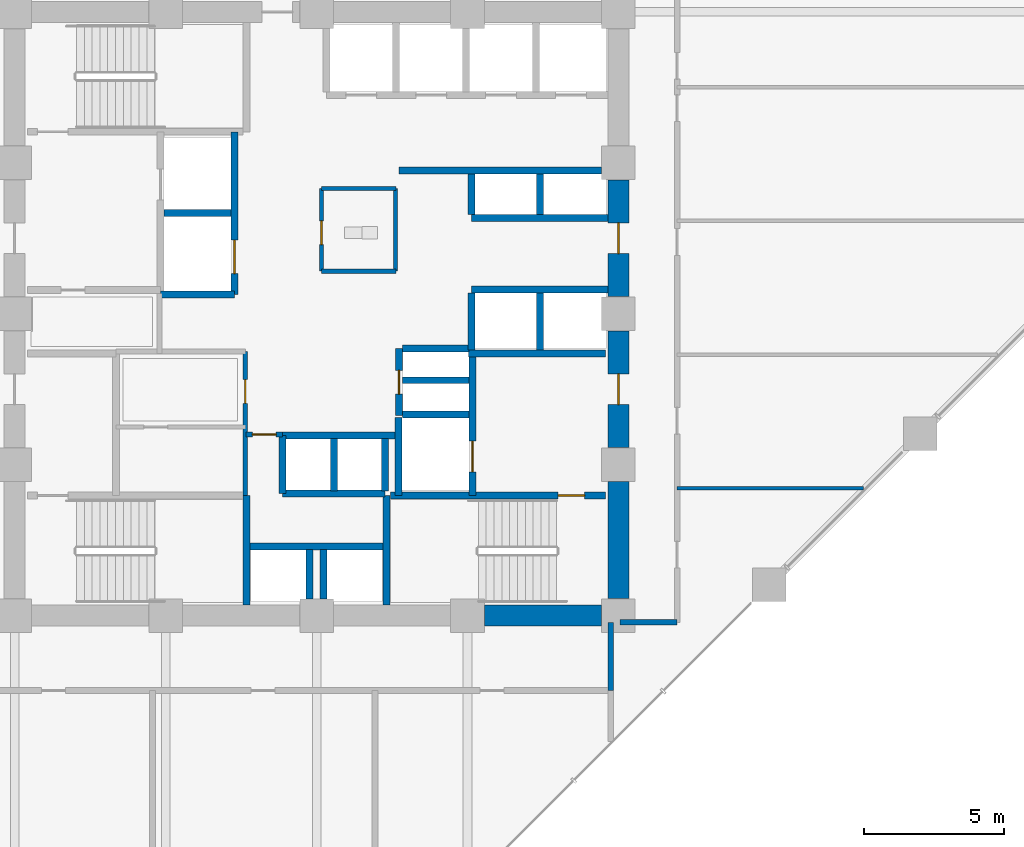
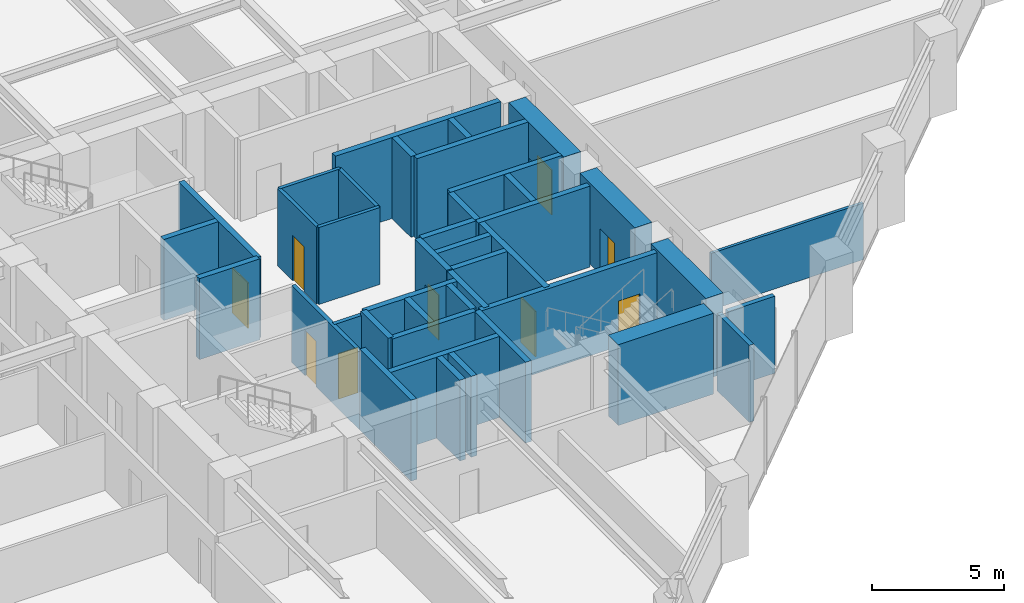
# One storey, part 22 of 28: 41 walls, 9 doors, 9 openings.
"""IFC4 building model written with IfcOpenShell, lengths in metres."""

from ifc_helpers import new_model, si_unit, direction, frame, frame_2d, origin, place, context, subcontext, project, spatial, rectangle, extrude, material, layer, layer_set, type_object, element, fill, save


model = new_model("IFC4")

# Units and contexts
model_context = context("Model", 3, precision=1e-05, world=origin(), true_north=direction((0.0, 1.0)))
body_context = subcontext(model_context, "Body", "Model", "MODEL_VIEW")
ifc_project = project(units=[si_unit("LENGTHUNIT", "METRE"), si_unit("AREAUNIT", "SQUARE_METRE"), si_unit("VOLUMEUNIT", "CUBIC_METRE"), si_unit("PLANEANGLEUNIT", "RADIAN"), si_unit("MASSUNIT", "GRAM", prefix="KILO")], contexts=[model_context])

# Site, building, storey
site_placement = place(None, origin())
site = spatial("IfcSite", under=ifc_project, at=site_placement, CompositionType="ELEMENT")
building_placement = place(site_placement, origin())
building = spatial("IfcBuilding", under=site, at=building_placement, Name="Surkhivell Harbour Commons", CompositionType="ELEMENT")
storey_placement = place(building_placement, frame((0.0, 0.0, 63.75)))
storey = spatial("IfcBuildingStorey", under=building, at=storey_placement, Name="L16", CompositionType="ELEMENT", Elevation=63.75)

# Wall
ifc_material_1 = material(Name="Concrete C60/75", Category="concrete")
ifc_layer_1 = layer(ifc_material_1, 0.75)
ifc_layer_set_1 = layer_set([ifc_layer_1], Name="Concrete C60/75")
wall_type_1 = type_object("IfcWallType", Name="WAL-CORE-750", PredefinedType="SHEAR", material=ifc_layer_set_1)
wall_1_placement = place(storey_placement, frame((10.800048828125, -10.18994140625, 0.0), z_axis=(0.0, 0.0, 1.0), x_axis=(0.0, 1.0, 0.0)))
element("IfcWall", 1, at=wall_1_placement, inside=storey, type_object=wall_type_1, Name="L16 Core Shear Wall East 1", PredefinedType="SHEAR", context=body_context, shape_type="SweptSolid", body=[
    extrude(rectangle(XDim=4.179931640625, YDim=0.75, at=frame_2d((2.08984375, 0.0))), origin(), (0.0, 0.0, 1.0), 3.75),
])

# Wall, opening, door
wall_2_placement = place(storey_placement, frame((10.800048828125, -4.7900390625, 0.0), z_axis=(0.0, 0.0, 1.0), x_axis=(0.0, 1.0, 0.0)))
wall_2 = element("IfcWall", 2, at=wall_2_placement, inside=storey, type_object=wall_type_1, Name="L16 Core Shear Wall East 2", PredefinedType="SHEAR", context=body_context, shape_type="SweptSolid", body=[
    extrude(rectangle(XDim=4.179931640625, YDim=0.75, at=frame_2d((2.08984375, 0.0))), origin(), (0.0, 0.0, 1.0), 3.75),
])
opening_1_placement = place(wall_2_placement, frame((1.5400390625, 0.0, 0.0)))
opening_1 = element("IfcOpeningElement", 3, at=opening_1_placement, cuts=wall_2, Name="Opening ID-1", PredefinedType="OPENING", context=body_context, shape_type="SweptSolid", body=[
    extrude(rectangle(XDim=1.10009765625, YDim=2.10009765625, at=frame_2d((0.550048828125, 1.050048828125))), frame((0.0, 0.385009765625, 0.0), z_axis=(0.0, -1.0, 0.0), x_axis=(1.0, 0.0, 0.0)), (0.0, 0.0, 1.0), 0.77001953125),
])
ifc_material_2 = material(Name="Hardwood-veneered fire-rated door leaf", Category="wood")
door_type_1 = type_object("IfcDoorType", Name="DOR-FD120-1100", OperationType="NOTDEFINED", PredefinedType="DOOR", material=ifc_material_2)
door_1_placement = place(opening_1_placement, origin())
door_1 = element("IfcDoor", 4, at=door_1_placement, inside=storey, type_object=door_type_1, Name="L16 Firefighting Lobby 2 Corridor Door", OperationType="SINGLE_SWING_RIGHT", OverallHeight=2.10009765625, OverallWidth=1.10009765625, PredefinedType="DOOR", context=body_context, shape_type="SweptSolid", body=[
    extrude(rectangle(XDim=1.10009765625, YDim=2.10009765625, at=frame_2d((0.550048828125, 1.050048828125))), frame((0.0, 0.02490234375, 0.0), z_axis=(0.0, -1.0, 0.0), x_axis=(1.0, 0.0, 0.0)), (0.0, 0.0, 1.0), 0.050048828125),
])
fill(opening_1, door_1)

wall_3_placement = place(storey_placement, frame((10.800048828125, 0.610107421875, 0.0), z_axis=(0.0, 0.0, 1.0), x_axis=(0.0, 1.0, 0.0)))
wall_3 = element("IfcWall", 5, at=wall_3_placement, inside=storey, type_object=wall_type_1, Name="L16 Core Shear Wall East 3", PredefinedType="SHEAR", context=body_context, shape_type="SweptSolid", body=[
    extrude(rectangle(XDim=4.179931640625, YDim=0.75, at=frame_2d((2.08984375, 0.0))), origin(), (0.0, 0.0, 1.0), 3.75),
])
opening_2_placement = place(wall_3_placement, frame((1.5400390625, 0.0, 0.0)))
opening_2 = element("IfcOpeningElement", 6, at=opening_2_placement, cuts=wall_3, Name="Opening ID-2", PredefinedType="OPENING", context=body_context, shape_type="SweptSolid", body=[
    extrude(rectangle(XDim=1.10009765625, YDim=2.10009765625, at=frame_2d((0.550048828125, 1.050048828125))), frame((0.0, 0.385009765625, 0.0), z_axis=(0.0, -1.0, 0.0), x_axis=(1.0, 0.0, 0.0)), (0.0, 0.0, 1.0), 0.77001953125),
])
door_type_2 = type_object("IfcDoorType", Name="DOR-FD60-1100", OperationType="NOTDEFINED", PredefinedType="DOOR", material=ifc_material_2)
door_2_placement = place(opening_2_placement, origin())
door_2 = element("IfcDoor", 7, at=door_2_placement, inside=storey, type_object=door_type_2, Name="L16 Mid-Rise Lobby East Door", OperationType="SINGLE_SWING_LEFT", OverallHeight=2.10009765625, OverallWidth=1.10009765625, PredefinedType="DOOR", context=body_context, shape_type="SweptSolid", body=[
    extrude(rectangle(XDim=1.10009765625, YDim=2.10009765625, at=frame_2d((0.550048828125, 1.050048828125))), frame((0.0, 0.02490234375, 0.0), z_axis=(0.0, -1.0, 0.0), x_axis=(1.0, 0.0, 0.0)), (0.0, 0.0, 1.0), 0.050048828125),
])
fill(opening_2, door_2)

# Walls
wall_4_placement = place(storey_placement, frame((6.010009765625, -10.800048828125, 0.0), z_axis=(0.0, 0.0, 1.0), x_axis=(1.0, 0.0, 0.0)))
element("IfcWall", 8, at=wall_4_placement, inside=storey, type_object=wall_type_1, Name="L16 Core Shear Wall South 4", PredefinedType="SHEAR", context=body_context, shape_type="SweptSolid", body=[
    extrude(rectangle(XDim=4.179931640625, YDim=0.75, at=frame_2d((2.08984375, 0.0))), origin(), (0.0, 0.0, 1.0), 3.75),
])
ifc_material_3 = material(Name="Moisture-resistant acoustic stud partition", Category="other")
ifc_layer_2 = layer(ifc_material_3, 0.125)
ifc_layer_set_2 = layer_set([ifc_layer_2], Name="Moisture-resistant acoustic stud partition")
wall_type_2 = type_object("IfcWallType", Name="WAL-INT-125", PredefinedType="PARTITIONING", material=ifc_layer_set_2)
wall_5_placement = place(storey_placement, frame((12.89990234375, -6.25, 0.0), z_axis=(0.0, 0.0, 1.0), x_axis=(1.0, 0.0, 0.0)))
element("IfcWall", 9, at=wall_5_placement, inside=storey, type_object=wall_type_2, Name="L16 East Partition P1", PredefinedType="PARTITIONING", context=body_context, shape_type="SweptSolid", body=[
    extrude(rectangle(XDim=6.665283203125, YDim=0.125, at=frame_2d((3.33251953125, 0.0))), origin(), (0.0, 0.0, 1.0), 2.623046875),
])
ifc_material_4 = material(Name="Twin-stud acoustic fireboard partition", Category="other")
ifc_layer_3 = layer(ifc_material_4, 0.14990234375)
ifc_layer_set_3 = layer_set([ifc_layer_3], Name="Twin-stud acoustic fireboard partition")
wall_type_3 = type_object("IfcWallType", Name="WAL-INT-150", PredefinedType="PARTITIONING", material=ifc_layer_set_3)
wall_6_placement = place(storey_placement, frame((2.820068359375, 1.52001953125, 0.0), z_axis=(0.0, 0.0, 1.0), x_axis=(0.0, 1.0, 0.0)))
element("IfcWall", 10, at=wall_6_placement, inside=storey, type_object=wall_type_3, Name="L16 Core Accessible WC East Wall", PredefinedType="PARTITIONING", context=body_context, shape_type="SweptSolid", body=[
    extrude(rectangle(XDim=2.9599609375, YDim=0.14990234375, at=frame_2d((1.47998046875, 0.0))), origin(), (0.0, 0.0, 1.0), 3.570068359375),
])
for number, where, z_axis, x_axis, name in (
    (11, (0.179931640625, 4.47998046875, 0.0), (0.0, 0.0, 1.0), (1.0, 0.0, 0.0), "L16 Core Accessible WC North Wall"),
    (12, (0.179931640625, 1.52001953125, 0.0), (0.0, 0.0, 1.0), (1.0, 0.0, 0.0), "L16 Core Accessible WC South Wall"),
):
    element("IfcWall", number, at=place(storey_placement, frame(where, z_axis=z_axis, x_axis=x_axis)), inside=storey, type_object=wall_type_3, Name=name, PredefinedType="PARTITIONING", context=body_context, shape_type="SweptSolid", body=[
        extrude(rectangle(XDim=2.670166015625, YDim=0.14990234375, at=frame_2d((1.3349609375, 0.0))), origin(), (0.0, 0.0, 1.0), 3.570068359375),
    ])

# Wall, opening, door
wall_7_placement = place(storey_placement, frame((0.179931640625, 1.52001953125, 0.0), z_axis=(0.0, 0.0, 1.0), x_axis=(0.0, 1.0, 0.0)))
wall_7 = element("IfcWall", 13, at=wall_7_placement, inside=storey, type_object=wall_type_3, Name="L16 Core Accessible WC West Wall", PredefinedType="PARTITIONING", context=body_context, shape_type="SweptSolid", body=[
    extrude(rectangle(XDim=2.9599609375, YDim=0.14990234375, at=frame_2d((1.47998046875, 0.0))), origin(), (0.0, 0.0, 1.0), 3.570068359375),
])
opening_3_placement = place(wall_7_placement, frame((0.949951171875, 0.0, 0.0)))
opening_3 = element("IfcOpeningElement", 14, at=opening_3_placement, cuts=wall_7, Name="Opening ID-6", PredefinedType="OPENING", context=body_context, shape_type="SweptSolid", body=[
    extrude(rectangle(XDim=0.85009765625, YDim=2.10009765625, at=frame_2d((0.425048828125, 1.050048828125))), frame((0.0, 0.0849609375, 0.0), z_axis=(0.0, -1.0, 0.0), x_axis=(1.0, 0.0, 0.0)), (0.0, 0.0, 1.0), 0.169921875),
])
door_type_3 = type_object("IfcDoorType", Name="DOR-FD30-850", OperationType="NOTDEFINED", PredefinedType="DOOR", material=ifc_material_2)
door_3_placement = place(opening_3_placement, origin())
door_3 = element("IfcDoor", 15, at=door_3_placement, inside=storey, type_object=door_type_3, Name="L16 Floor Accessible WC Door", OperationType="SINGLE_SWING_RIGHT", OverallHeight=2.10009765625, OverallWidth=0.85009765625, PredefinedType="DOOR", context=body_context, shape_type="SweptSolid", body=[
    extrude(rectangle(XDim=0.85009765625, YDim=2.10009765625, at=frame_2d((0.425048828125, 1.050048828125))), frame((0.0, 0.02490234375, 0.0), z_axis=(0.0, -1.0, 0.0), x_axis=(1.0, 0.0, 0.0)), (0.0, 0.0, 1.0), 0.050048828125),
])
fill(opening_3, door_3)

ifc_material_5 = material(Name="High-density acoustic blockwork fire partition", Category="masonry")
ifc_layer_4 = layer(ifc_material_5, 0.175048828125)
ifc_layer_set_4 = layer_set([ifc_layer_4], Name="High-density acoustic blockwork fire partition")
wall_type_4 = type_object("IfcWallType", Name="WAL-INT-175", PredefinedType="PARTITIONING", material=ifc_layer_set_4)
wall_8_placement = place(storey_placement, frame((-2.550048828125, -6.510009765625, 0.0), z_axis=(0.0, 0.0, 1.0), x_axis=(0.0, 1.0, 0.0)))
wall_8 = element("IfcWall", 16, at=wall_8_placement, inside=storey, type_object=wall_type_4, Name="L16 Core Service Bay East Wall", PredefinedType="PARTITIONING", context=body_context, shape_type="SweptSolid", body=[
    extrude(rectangle(XDim=5.159912109375, YDim=0.175048828125, at=frame_2d((2.580078125, 0.0))), origin(), (0.0, 0.0, 1.0), 3.570068359375),
])
opening_4_placement = place(wall_8_placement, frame((3.300048828125, 0.0, 0.0)))
opening_4 = element("IfcOpeningElement", 17, at=opening_4_placement, cuts=wall_8, Name="Opening ID-6", PredefinedType="OPENING", context=body_context, shape_type="SweptSolid", body=[
    extrude(rectangle(XDim=0.85009765625, YDim=2.10009765625, at=frame_2d((0.425048828125, 1.050048828125))), frame((0.0, 0.097412109375, 0.0), z_axis=(0.0, -1.0, 0.0), x_axis=(1.0, 0.0, 0.0)), (0.0, 0.0, 1.0), 0.195068359375),
])
door_4_placement = place(opening_4_placement, origin())
door_4 = element("IfcDoor", 18, at=door_4_placement, inside=storey, type_object=door_type_3, Name="L16 Core Reading Alcove Door", OperationType="SINGLE_SWING_LEFT", OverallHeight=2.10009765625, OverallWidth=0.85009765625, PredefinedType="DOOR", context=body_context, shape_type="SweptSolid", body=[
    extrude(rectangle(XDim=0.85009765625, YDim=2.10009765625, at=frame_2d((0.425048828125, 1.050048828125))), frame((0.0, 0.02490234375, 0.0), z_axis=(0.0, -1.0, 0.0), x_axis=(1.0, 0.0, 0.0)), (0.0, 0.0, 1.0), 0.050048828125),
])
fill(opening_4, door_4)

wall_9_placement = place(storey_placement, frame((-2.52001953125, -4.320068359375, 0.0), z_axis=(0.0, 0.0, 1.0), x_axis=(1.0, 0.0, 0.0)))
wall_9 = element("IfcWall", 19, at=wall_9_placement, inside=storey, type_object=wall_type_4, Name="L16 High-Rise Lobby North Portal Wall", PredefinedType="PARTITIONING", context=body_context, shape_type="SweptSolid", body=[
    extrude(rectangle(XDim=1.300048828125, YDim=0.175048828125, at=frame_2d((0.64990234375, 0.0))), origin(), (0.0, 0.0, 1.0), 3.570068359375),
])
opening_5_placement = place(wall_9_placement, frame((0.219970703125, 0.0, 0.0)))
opening_5 = element("IfcOpeningElement", 20, at=opening_5_placement, cuts=wall_9, Name="Opening ID-6", PredefinedType="OPENING", context=body_context, shape_type="SweptSolid", body=[
    extrude(rectangle(XDim=0.85009765625, YDim=2.10009765625, at=frame_2d((0.425048828125, 1.050048828125))), frame((0.0, 0.097412109375, 0.0), z_axis=(0.0, -1.0, 0.0), x_axis=(1.0, 0.0, 0.0)), (0.0, 0.0, 1.0), 0.195068359375),
])
door_5_placement = place(opening_5_placement, origin())
door_5 = element("IfcDoor", 21, at=door_5_placement, inside=storey, type_object=door_type_3, Name="L16 High-Rise Lift Lobby North Door", OperationType="SINGLE_SWING_LEFT", OverallHeight=2.10009765625, OverallWidth=0.85009765625, PredefinedType="DOOR", context=body_context, shape_type="SweptSolid", body=[
    extrude(rectangle(XDim=0.85009765625, YDim=2.10009765625, at=frame_2d((0.425048828125, 1.050048828125))), frame((0.0, 0.02490234375, 0.0), z_axis=(0.0, -1.0, 0.0), x_axis=(1.0, 0.0, 0.0)), (0.0, 0.0, 1.0), 0.050048828125),
])
fill(opening_5, door_5)

# Walls
ifc_material_6 = material(Name="Autoclaved aerated concrete blockwork and fire plaster", Category="masonry")
ifc_layer_5 = layer(ifc_material_6, 0.199951171875)
ifc_layer_set_5 = layer_set([ifc_layer_5], Name="Autoclaved aerated concrete blockwork and fire plaster")
wall_type_5 = type_object("IfcWallType", Name="WAL-INT-200", PredefinedType="PARTITIONING", material=ifc_layer_set_5)
wall_10_placement = place(storey_placement, frame((10.85009765625, -11.0400390625, 0.0), z_axis=(0.0, 0.0, 1.0), x_axis=(1.0, 0.0, 0.0)))
element("IfcWall", 22, at=wall_10_placement, inside=storey, type_object=wall_type_5, Name="L16 Corridor East South Closure Wall", PredefinedType="PARTITIONING", context=body_context, shape_type="SweptSolid", body=[
    extrude(rectangle(XDim=2.0498046875, YDim=0.199951171875, at=frame_2d((1.02490234375, 0.0))), origin(), (0.0, 0.0, 1.0), 3.570068359375),
])
wall_11_placement = place(storey_placement, frame((10.52001953125, -13.47998046875, 0.0), z_axis=(0.0, 0.0, 1.0), x_axis=(0.0, 1.0, 0.0)))
element("IfcWall", 23, at=wall_11_placement, inside=storey, type_object=wall_type_5, Name="L16 Corridor SE Closure Wall", PredefinedType="PARTITIONING", context=body_context, shape_type="SweptSolid", body=[
    extrude(rectangle(XDim=2.43994140625, YDim=0.199951171875, at=frame_2d((1.219970703125, 0.0))), origin(), (0.0, 0.0, 1.0), 3.570068359375),
])
ifc_material_7 = material(Name="Concrete C50/60", Category="concrete")
ifc_layer_6 = layer(ifc_material_7, 0.25)
ifc_layer_set_6 = layer_set([ifc_layer_6], Name="Concrete C50/60")
wall_type_6 = type_object("IfcWallType", Name="WAL-SHAFT-250", PredefinedType="SHEAR", material=ifc_layer_set_6)
wall_12_placement = place(storey_placement, frame((2.929931640625, -6.510009765625, 0.0), z_axis=(0.0, 0.0, 1.0), x_axis=(0.0, 1.0, 0.0)))
element("IfcWall", 24, at=wall_12_placement, inside=storey, type_object=wall_type_6, Name="L16 FFL2 West Shaft Wall", PredefinedType="SHEAR", context=body_context, shape_type="SweptSolid", body=[
    extrude(rectangle(XDim=2.7900390625, YDim=0.25, at=frame_2d((1.39501953125, 0.0))), origin(), (0.0, 0.0, 1.0), 3.75),
])
wall_13_placement = place(storey_placement, frame((5.43994140625, -1.419921875, 0.0), z_axis=(0.0, 0.0, 1.0), x_axis=(1.0, 0.0, 0.0)))
element("IfcWall", 25, at=wall_13_placement, inside=storey, type_object=wall_type_6, Name="L16 Firefighting Lobby 2 North Wall", PredefinedType="SHEAR", context=body_context, shape_type="SweptSolid", body=[
    extrude(rectangle(XDim=4.900146484375, YDim=0.25, at=frame_2d((2.4501953125, 0.0))), origin(), (0.0, 0.0, 1.0), 3.75),
])
wall_14_placement = place(storey_placement, frame((3.080078125, -3.60009765625, 0.0), z_axis=(0.0, 0.0, 1.0), x_axis=(1.0, 0.0, 0.0)))
element("IfcWall", 26, at=wall_14_placement, inside=storey, type_object=wall_type_6, Name="L16 FFL2 North Shaft Wall", PredefinedType="SHEAR", context=body_context, shape_type="SweptSolid", body=[
    extrude(rectangle(XDim=2.369873046875, YDim=0.25, at=frame_2d((1.18505859375, 0.0))), origin(), (0.0, 0.0, 1.0), 3.75),
])

# Wall, opening, door
wall_15_placement = place(storey_placement, frame((5.580078125, -6.510009765625, 0.0), z_axis=(0.0, 0.0, 1.0), x_axis=(0.0, 1.0, 0.0)))
wall_15 = element("IfcWall", 27, at=wall_15_placement, inside=storey, type_object=wall_type_6, Name="L16 Firefighting Lobby 2 West Shaft Wall", PredefinedType="SHEAR", context=body_context, shape_type="SweptSolid", body=[
    extrude(rectangle(XDim=5.090087890625, YDim=0.25, at=frame_2d((2.544921875, 0.0))), origin(), (0.0, 0.0, 1.0), 3.75),
])
opening_6_placement = place(wall_15_placement, frame((0.85009765625, 0.0, 0.0)))
opening_6 = element("IfcOpeningElement", 28, at=opening_6_placement, cuts=wall_15, Name="Opening LD-1", PredefinedType="OPENING", context=body_context, shape_type="SweptSolid", body=[
    extrude(rectangle(XDim=1.10009765625, YDim=2.10009765625, at=frame_2d((0.550048828125, 1.050048828125))), frame((0.0, 0.135009765625, 0.0), z_axis=(0.0, -1.0, 0.0), x_axis=(1.0, 0.0, 0.0)), (0.0, 0.0, 1.0), 0.27001953125),
])
ifc_material_8 = material(Name="Brushed stainless steel S355", Category="steel")
door_type_4 = type_object("IfcDoorType", Name="DOR-LD-1100", OperationType="SLIDING_TO_LEFT", PredefinedType="DOOR", material=ifc_material_8)
door_6_placement = place(opening_6_placement, origin())
door_6 = element("IfcDoor", 29, at=door_6_placement, inside=storey, type_object=door_type_4, Name="L16 Lift Landing Door LD-FFL2", OperationType="SLIDING_TO_RIGHT", OverallHeight=2.10009765625, OverallWidth=1.10009765625, PredefinedType="DOOR", context=body_context, shape_type="SweptSolid", body=[
    extrude(rectangle(XDim=1.10009765625, YDim=2.10009765625, at=frame_2d((0.550048828125, 1.050048828125))), frame((0.0, 0.02490234375, 0.0), z_axis=(0.0, -1.0, 0.0), x_axis=(1.0, 0.0, 0.0)), (0.0, 0.0, 1.0), 0.050048828125),
])
fill(opening_6, door_6)

# Walls
for number, where, z_axis, x_axis, name in (
    (30, (0.6201171875, -6.340087890625, 0.0), (0.0, 0.0, 1.0), (0.0, 1.0, 0.0), "L16 High-Rise Side Wall N"),
    (31, (2.449951171875, -6.340087890625, 0.0), (0.0, 0.0, 1.0), (0.0, 1.0, 0.0), "L16 High-Rise Side Wall N"),
):
    element("IfcWall", number, at=place(storey_placement, frame(where, z_axis=z_axis, x_axis=x_axis)), inside=storey, type_object=wall_type_6, Name=name, PredefinedType="SHEAR", context=body_context, shape_type="SweptSolid", body=[
        extrude(rectangle(XDim=1.880126953125, YDim=0.25, at=frame_2d((0.93994140625, 0.0))), origin(), (0.0, 0.0, 1.0), 3.75),
    ])
for number, where, z_axis, x_axis, name in (
    (32, (-0.25, -10.199951171875, 0.0), (0.0, 0.0, 1.0), (0.0, 1.0, 0.0), "L16 High-Rise Side Wall S"),
    (33, (0.25, -10.199951171875, 0.0), (0.0, 0.0, 1.0), (0.0, 1.0, 0.0), "L16 High-Rise Side Wall S"),
):
    element("IfcWall", number, at=place(storey_placement, frame(where, z_axis=z_axis, x_axis=x_axis)), inside=storey, type_object=wall_type_6, Name=name, PredefinedType="SHEAR", context=body_context, shape_type="SweptSolid", body=[
        extrude(rectangle(XDim=1.760009765625, YDim=0.25, at=frame_2d((0.8798828125, 0.0))), origin(), (0.0, 0.0, 1.0), 3.75),
    ])
wall_16_placement = place(storey_placement, frame((-1.219970703125, -6.43994140625, 0.0), z_axis=(0.0, 0.0, 1.0), x_axis=(0.0, 1.0, 0.0)))
element("IfcWall", 34, at=wall_16_placement, inside=storey, type_object=wall_type_6, Name="L16 High-Rise Passage East Shaft Wall", PredefinedType="SHEAR", context=body_context, shape_type="SweptSolid", body=[
    extrude(rectangle(XDim=2.079833984375, YDim=0.25, at=frame_2d((1.0400390625, 0.0))), origin(), (0.0, 0.0, 1.0), 3.75),
])
wall_17_placement = place(storey_placement, frame((-1.219970703125, -6.43994140625, 0.0), z_axis=(0.0, 0.0, 1.0), x_axis=(1.0, 0.0, 0.0)))
element("IfcWall", 35, at=wall_17_placement, inside=storey, type_object=wall_type_6, Name="L16 High-Rise North Front Shaft Wall", PredefinedType="SHEAR", context=body_context, shape_type="SweptSolid", body=[
    extrude(rectangle(XDim=3.669921875, YDim=0.25, at=frame_2d((1.8349609375, 0.0))), origin(), (0.0, 0.0, 1.0), 3.75),
])
wall_18_placement = place(storey_placement, frame((-2.47998046875, -8.320068359375, 0.0), z_axis=(0.0, 0.0, 1.0), x_axis=(1.0, 0.0, 0.0)))
element("IfcWall", 36, at=wall_18_placement, inside=storey, type_object=wall_type_6, Name="L16 High-Rise South Front Shaft Wall", PredefinedType="SHEAR", context=body_context, shape_type="SweptSolid", body=[
    extrude(rectangle(XDim=4.929931640625, YDim=0.25, at=frame_2d((2.46484375, 0.0))), origin(), (0.0, 0.0, 1.0), 3.75),
])
wall_19_placement = place(storey_placement, frame((-1.219970703125, -4.360107421875, 0.0), z_axis=(0.0, 0.0, 1.0), x_axis=(1.0, 0.0, 0.0)))
element("IfcWall", 37, at=wall_19_placement, inside=storey, type_object=wall_type_6, Name="L16 High-Rise North Back Shaft Wall", PredefinedType="SHEAR", context=body_context, shape_type="SweptSolid", body=[
    extrude(rectangle(XDim=4.030029296875, YDim=0.25, at=frame_2d((2.01513671875, 0.0))), origin(), (0.0, 0.0, 1.0), 3.75),
])
wall_20_placement = place(storey_placement, frame((2.949951171875, 5.1201171875, 0.0), z_axis=(0.0, 0.0, 1.0), x_axis=(1.0, 0.0, 0.0)))
element("IfcWall", 38, at=wall_20_placement, inside=storey, type_object=wall_type_6, Name="L16 Low-Rise Lobby South Wall", PredefinedType="SHEAR", context=body_context, shape_type="SweptSolid", body=[
    extrude(rectangle(XDim=7.25, YDim=0.25, at=frame_2d((3.625, 0.0))), origin(), (0.0, 0.0, 1.0), 3.75),
])
for number, where, z_axis, x_axis, name in (
    (39, (5.550048828125, 3.550048828125, 0.0), (0.0, 0.0, 1.0), (0.0, 1.0, 0.0), "L16 Mid-Rise Shaft Side Wall N"),
    (40, (8.0, 3.550048828125, 0.0), (0.0, 0.0, 1.0), (0.0, 1.0, 0.0), "L16 Mid-Rise Shaft Side Wall N"),
):
    element("IfcWall", number, at=place(storey_placement, frame(where, z_axis=z_axis, x_axis=x_axis)), inside=storey, type_object=wall_type_6, Name=name, PredefinedType="SHEAR", context=body_context, shape_type="SweptSolid", body=[
        extrude(rectangle(XDim=1.449951171875, YDim=0.25, at=frame_2d((0.72509765625, 0.0))), origin(), (0.0, 0.0, 1.0), 3.75),
    ])
for number, where, z_axis, x_axis, name in (
    (41, (5.550048828125, -1.300048828125, 0.0), (0.0, 0.0, 1.0), (0.0, 1.0, 0.0), "L16 Mid-Rise Shaft Side Wall S"),
    (42, (8.0, -1.300048828125, 0.0), (0.0, 0.0, 1.0), (0.0, 1.0, 0.0), "L16 Mid-Rise Shaft Side Wall S"),
):
    element("IfcWall", number, at=place(storey_placement, frame(where, z_axis=z_axis, x_axis=x_axis)), inside=storey, type_object=wall_type_6, Name=name, PredefinedType="SHEAR", context=body_context, shape_type="SweptSolid", body=[
        extrude(rectangle(XDim=2.0400390625, YDim=0.25, at=frame_2d((1.02001953125, 0.0))), origin(), (0.0, 0.0, 1.0), 3.75),
    ])
for number, where, z_axis, x_axis, name in (
    (43, (5.550048828125, 3.429931640625, 0.0), (0.0, 0.0, 1.0), (1.0, 0.0, 0.0), "L16 Mid-Rise North Front Shaft Wall"),
    (44, (5.550048828125, 0.8701171875, 0.0), (0.0, 0.0, 1.0), (1.0, 0.0, 0.0), "L16 Mid-Rise South Front Shaft Wall"),
):
    element("IfcWall", number, at=place(storey_placement, frame(where, z_axis=z_axis, x_axis=x_axis)), inside=storey, type_object=wall_type_6, Name=name, PredefinedType="SHEAR", context=body_context, shape_type="SweptSolid", body=[
        extrude(rectangle(XDim=4.875, YDim=0.25, at=frame_2d((2.4375, 0.0))), origin(), (0.0, 0.0, 1.0), 3.75),
    ])
for number, where, z_axis, x_axis, name in (
    (45, (3.080078125, -2.3798828125, 0.0), (0.0, 0.0, 1.0), (1.0, 0.0, 0.0), "L16 Riser Divider Wall"),
    (46, (3.080078125, -1.25, 0.0), (0.0, 0.0, 1.0), (1.0, 0.0, 0.0), "L16 Riser North Wall"),
):
    element("IfcWall", number, at=place(storey_placement, frame(where, z_axis=z_axis, x_axis=x_axis)), inside=storey, type_object=wall_type_6, Name=name, PredefinedType="SHEAR", context=body_context, shape_type="SweptSolid", body=[
        extrude(rectangle(XDim=2.369873046875, YDim=0.25, at=frame_2d((1.18505859375, 0.0))), origin(), (0.0, 0.0, 1.0), 3.75),
    ])

# Wall, opening, door
wall_21_placement = place(storey_placement, frame((2.949951171875, -3.64990234375, 0.0), z_axis=(0.0, 0.0, 1.0), x_axis=(0.0, 1.0, 0.0)))
wall_21 = element("IfcWall", 47, at=wall_21_placement, inside=storey, type_object=wall_type_6, Name="L16 Riser Shaft West Wall", PredefinedType="SHEAR", context=body_context, shape_type="SweptSolid", body=[
    extrude(rectangle(XDim=2.39990234375, YDim=0.25, at=frame_2d((1.199951171875, 0.0))), origin(), (0.0, 0.0, 1.0), 3.75),
])
opening_7_placement = place(wall_21_placement, frame((0.77490234375, 0.0, 0.0)))
opening_7 = element("IfcOpeningElement", 48, at=opening_7_placement, cuts=wall_21, Name="Opening ID-6", PredefinedType="OPENING", context=body_context, shape_type="SweptSolid", body=[
    extrude(rectangle(XDim=0.85009765625, YDim=2.10009765625, at=frame_2d((0.425048828125, 1.050048828125))), frame((0.0, 0.135009765625, 0.0), z_axis=(0.0, -1.0, 0.0), x_axis=(1.0, 0.0, 0.0)), (0.0, 0.0, 1.0), 0.27001953125),
])
door_7_placement = place(opening_7_placement, origin())
door_7 = element("IfcDoor", 49, at=door_7_placement, inside=storey, type_object=door_type_3, Name="L16 Electrical Riser Access Door", OperationType="SINGLE_SWING_LEFT", OverallHeight=2.10009765625, OverallWidth=0.85009765625, PredefinedType="DOOR", context=body_context, shape_type="SweptSolid", body=[
    extrude(rectangle(XDim=0.85009765625, YDim=2.10009765625, at=frame_2d((0.425048828125, 1.050048828125))), frame((0.0, 0.02490234375, 0.0), z_axis=(0.0, -1.0, 0.0), x_axis=(1.0, 0.0, 0.0)), (0.0, 0.0, 1.0), 0.050048828125),
])
fill(opening_7, door_7)

wall_22_placement = place(storey_placement, frame((2.639892578125, -6.510009765625, 0.0), z_axis=(0.0, 0.0, 1.0), x_axis=(1.0, 0.0, 0.0)))
wall_22 = element("IfcWall", 50, at=wall_22_placement, inside=storey, type_object=wall_type_6, Name="L16 Stair ST2 North Shear Wall", PredefinedType="SHEAR", context=body_context, shape_type="SweptSolid", body=[
    extrude(rectangle(XDim=7.7001953125, YDim=0.25, at=frame_2d((3.85009765625, 0.0))), origin(), (0.0, 0.0, 1.0), 3.75),
])
opening_8_placement = place(wall_22_placement, frame((6.0, 0.0, 0.0)))
opening_8 = element("IfcOpeningElement", 51, at=opening_8_placement, cuts=wall_22, Name="Opening ID-4", PredefinedType="OPENING", context=body_context, shape_type="SweptSolid", body=[
    extrude(rectangle(XDim=0.949951171875, YDim=2.10009765625, at=frame_2d((0.47509765625, 1.050048828125))), frame((0.0, 0.135009765625, 0.0), z_axis=(0.0, -1.0, 0.0), x_axis=(1.0, 0.0, 0.0)), (0.0, 0.0, 1.0), 0.27001953125),
])
door_type_5 = type_object("IfcDoorType", Name="DOR-FD60-950", OperationType="NOTDEFINED", PredefinedType="DOOR", material=ifc_material_2)
door_8_placement = place(opening_8_placement, origin())
door_8 = element("IfcDoor", 52, at=door_8_placement, inside=storey, type_object=door_type_5, Name="L16 Stair ST2 Exit Door", OperationType="SINGLE_SWING_RIGHT", OverallHeight=2.10009765625, OverallWidth=0.949951171875, PredefinedType="DOOR", context=body_context, shape_type="SweptSolid", body=[
    extrude(rectangle(XDim=0.949951171875, YDim=2.10009765625, at=frame_2d((0.47509765625, 1.050048828125))), frame((0.0, 0.02490234375, 0.0), z_axis=(0.0, -1.0, 0.0), x_axis=(1.0, 0.0, 0.0)), (0.0, 0.0, 1.0), 0.050048828125),
])
fill(opening_8, door_8)

# Walls
for number, where, z_axis, x_axis, name in (
    (53, (2.510009765625, -10.425048828125, 0.0), (0.0, 0.0, 1.0), (0.0, 1.0, 0.0), "L16 Stair ST2 West Shear Wall"),
    (54, (-2.510009765625, -10.425048828125, 0.0), (0.0, 0.0, 1.0), (0.0, 1.0, 0.0), "L16 Stair ST3 East Shear Wall"),
):
    element("IfcWall", number, at=place(storey_placement, frame(where, z_axis=z_axis, x_axis=x_axis)), inside=storey, type_object=wall_type_6, Name=name, PredefinedType="SHEAR", context=body_context, shape_type="SweptSolid", body=[
        extrude(rectangle(XDim=3.9150390625, YDim=0.25, at=frame_2d((1.95751953125, 0.0))), origin(), (0.0, 0.0, 1.0), 3.75),
    ])

# Wall, opening, door
wall_23_placement = place(storey_placement, frame((-2.929931640625, 0.679931640625, 0.0), z_axis=(0.0, 0.0, 1.0), x_axis=(0.0, 1.0, 0.0)))
wall_23 = element("IfcWall", 55, at=wall_23_placement, inside=storey, type_object=wall_type_6, Name="L16 Service and Fire Lift East Shaft Wall", PredefinedType="SHEAR", context=body_context, shape_type="SweptSolid", body=[
    extrude(rectangle(XDim=5.830078125, YDim=0.25, at=frame_2d((2.9150390625, 0.0))), origin(), (0.0, 0.0, 1.0), 3.75),
])
opening_9_placement = place(wall_23_placement, frame((0.75, 0.0, 0.0)))
opening_9 = element("IfcOpeningElement", 56, at=opening_9_placement, cuts=wall_23, Name="Opening LD-2", PredefinedType="OPENING", context=body_context, shape_type="SweptSolid", body=[
    extrude(rectangle(XDim=1.199951171875, YDim=2.10009765625, at=frame_2d((0.60009765625, 1.050048828125))), frame((0.0, 0.135009765625, 0.0), z_axis=(0.0, -1.0, 0.0), x_axis=(1.0, 0.0, 0.0)), (0.0, 0.0, 1.0), 0.27001953125),
])
door_type_6 = type_object("IfcDoorType", Name="DOR-LD-1200", OperationType="SLIDING_TO_LEFT", PredefinedType="DOOR", material=ifc_material_8)
door_9_placement = place(opening_9_placement, origin())
door_9 = element("IfcDoor", 57, at=door_9_placement, inside=storey, type_object=door_type_6, Name="L16 Lift Landing Door LD-SVL1", OperationType="SLIDING_TO_LEFT", OverallHeight=2.10009765625, OverallWidth=1.199951171875, PredefinedType="DOOR", context=body_context, shape_type="SweptSolid", body=[
    extrude(rectangle(XDim=1.199951171875, YDim=2.10009765625, at=frame_2d((0.60009765625, 1.050048828125))), frame((0.0, 0.02490234375, 0.0), z_axis=(0.0, -1.0, 0.0), x_axis=(1.0, 0.0, 0.0)), (0.0, 0.0, 1.0), 0.050048828125),
])
fill(opening_9, door_9)

# Walls
wall_24_placement = place(storey_placement, frame((-5.449951171875, 3.60009765625, 0.0), z_axis=(0.0, 0.0, 1.0), x_axis=(1.0, 0.0, 0.0)))
element("IfcWall", 58, at=wall_24_placement, inside=storey, type_object=wall_type_6, Name="L16 FFL1/SVL1 Shaft Divider", PredefinedType="SHEAR", context=body_context, shape_type="SweptSolid", body=[
    extrude(rectangle(XDim=2.389892578125, YDim=0.25, at=frame_2d((1.19482421875, 0.0))), origin(), (0.0, 0.0, 1.0), 3.75),
])
wall_25_placement = place(storey_placement, frame((-5.580078125, 0.679931640625, 0.0), z_axis=(0.0, 0.0, 1.0), x_axis=(1.0, 0.0, 0.0)))
element("IfcWall", 59, at=wall_25_placement, inside=storey, type_object=wall_type_6, Name="L16 SVL1 South Shaft Wall", PredefinedType="SHEAR", context=body_context, shape_type="SweptSolid", body=[
    extrude(rectangle(XDim=2.650146484375, YDim=0.25, at=frame_2d((1.3251953125, 0.0))), origin(), (0.0, 0.0, 1.0), 3.75),
])

save(model, "model.ifc")
